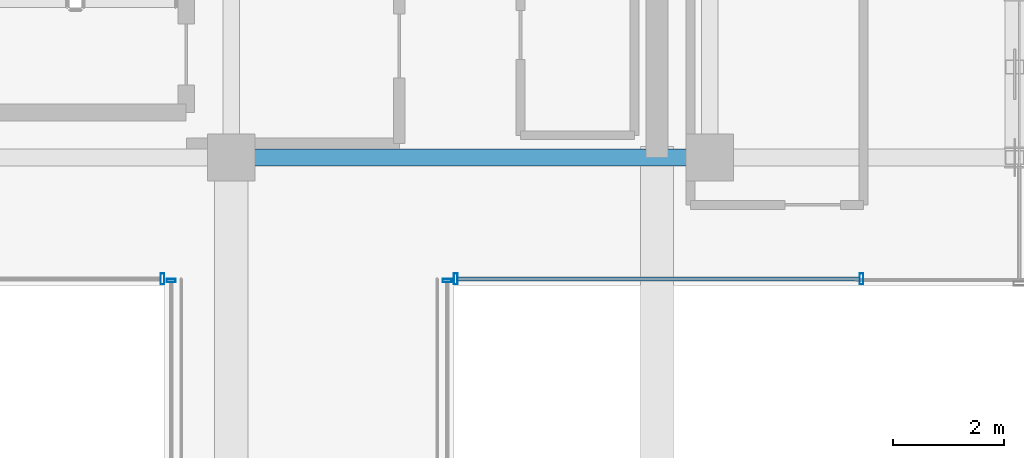
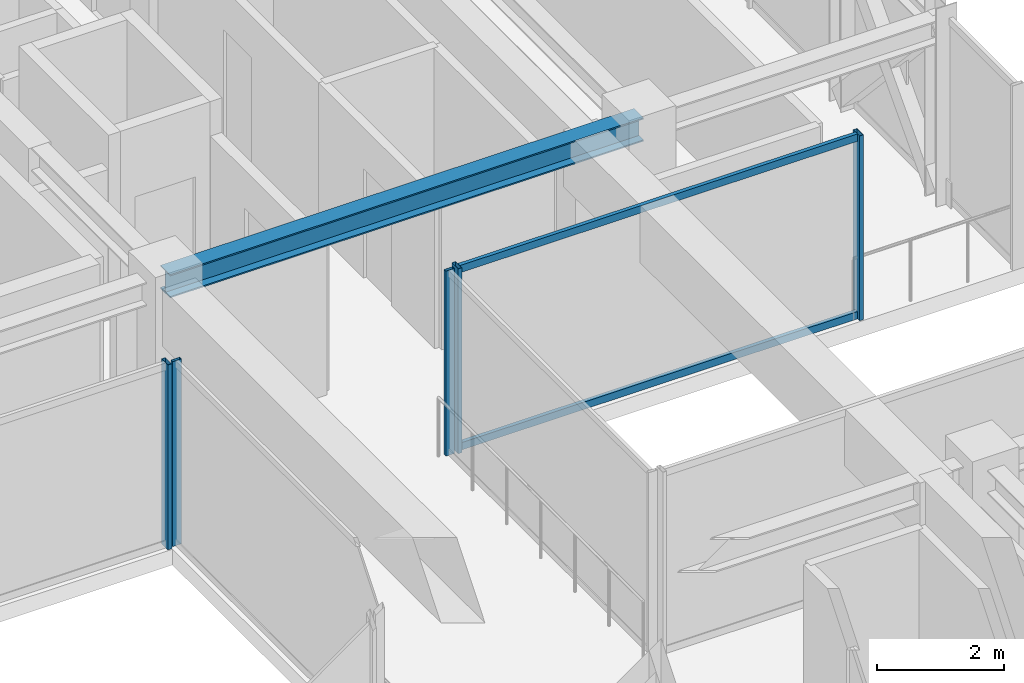
# One storey, part 21 of 41: 7 members, 1 beam, 4 elements without a shape of their own.
"""IFC4 building model written with IfcOpenShell, lengths in metres."""

from ifc_helpers import new_model, si_unit, direction, frame, origin, origin_2d, place, context, subcontext, project, spatial, hollow_rectangle, i_section, extrude, source, transform, mapped, material, material_profile, profile_set, type_object, element, aggregate, save


model = new_model("IFC4")

# Units and contexts
model_context = context("Model", 3, precision=1e-05, world=origin(), true_north=direction((0.0, 1.0)))
body_context = subcontext(model_context, "Body", "Model", "MODEL_VIEW")
ifc_project = project(units=[si_unit("LENGTHUNIT", "METRE"), si_unit("AREAUNIT", "SQUARE_METRE"), si_unit("VOLUMEUNIT", "CUBIC_METRE"), si_unit("PLANEANGLEUNIT", "RADIAN"), si_unit("MASSUNIT", "GRAM", prefix="KILO")], contexts=[model_context])

# Site, building, storey
site_placement = place(None, origin())
site = spatial("IfcSite", under=ifc_project, at=site_placement, CompositionType="ELEMENT")
building_placement = place(site_placement, origin())
building = spatial("IfcBuilding", under=site, at=building_placement, Name="Nahalor Promenade Grand Hotel", CompositionType="ELEMENT")
storey_placement = place(building_placement, frame((0.0, 0.0, 304.199951171875)))
storey = spatial("IfcBuildingStorey", under=building, at=storey_placement, Name="L78", CompositionType="ELEMENT", Elevation=304.199951171875)

# Beam
ifc_material_1 = material(Name="Steel S355JR", Category="steel")
ifc_material_profile_1 = material_profile(ifc_material_1, i_section(OverallWidth=0.3, OverallDepth=0.45, WebThickness=0.014, FlangeThickness=0.026, at=origin_2d()), Name="HEB 450")
ifc_profile_set_1 = profile_set([ifc_material_profile_1], Name="Steel S355JR")
beam_type = type_object("IfcBeamType", Name="Beam-Girder-HEB450", PredefinedType="BEAM", material=ifc_profile_set_1)
shared_shape_1 = source(origin(), body_context, "Body", "SweptSolid", [
    extrude(i_section(OverallWidth=0.3, OverallDepth=0.45, WebThickness=0.014, FlangeThickness=0.026, at=origin_2d()), origin(), (0.0, 0.0, 1.0), 8.60009765625),
])
beam_placement = place(storey_placement, frame((8.39990234375, 5.39990234375, 3.324951171875), z_axis=(1.0, 0.0, 0.0), x_axis=(0.0, 1.0, 0.0)))
element("IfcBeam", 1, at=beam_placement, inside=storey, type_object=beam_type, Name="BM-L78-GX-2-5", PredefinedType="BEAM", context=body_context, shape_type="MappedRepresentation", body=[
    mapped(shared_shape_1, transform((0.0, 0.0, 0.0), scale=1.0)),
])

# Curtain wall, members
ifc_material_2 = material(Name="Anodised Bronze Aluminium EN AW-6063 T6", Category="aluminium")
curtain_wall_type_1 = type_object("IfcCurtainWallType", Name="CW3 Elliptical-Void Collar Unitised Curtain Wall", PredefinedType="USERDEFINED", material=ifc_material_2)
curtain_wall_1_placement = place(storey_placement, origin())
curtain_wall_1 = element("IfcCurtainWall", 2, at=curtain_wall_1_placement, inside=storey, type_object=curtain_wall_type_1, Name="L78 Curtain Wall CW-L78-VOID-EN1", ObjectType="UNITISED_CURTAIN_WALL", PredefinedType="USERDEFINED")
ifc_material_profile_2 = material_profile(ifc_material_2, hollow_rectangle(XDim=0.07, YDim=0.14, WallThickness=0.004, at=origin_2d()), Name="CWT 70x140x4")
ifc_profile_set_2 = profile_set([ifc_material_profile_2], Name="Anodised Bronze Aluminium EN AW-6063 T6")
member_type_1 = type_object("IfcMemberType", Name="CWT3 Void Collar Transom 70x140", PredefinedType="USERDEFINED", material=ifc_profile_set_2)
shared_shape_2 = source(origin(), body_context, "Body", "SweptSolid", [
    extrude(hollow_rectangle(XDim=0.07, YDim=0.14, WallThickness=0.004, at=origin_2d()), origin(), (0.0, 0.0, 1.0), 7.219970703125),
])
member_1_placement = place(storey_placement, frame((12.469970703125, 3.219970703125, 0.070068359375), z_axis=(1.0, 0.0, 0.0), x_axis=(0.0, 1.0, 0.0)))
member_1 = element("IfcMember", 3, at=member_1_placement, type_object=member_type_1, Name="CW-L78-VOID-EN1 Transom 0-0", ObjectType="TRANSOM", PredefinedType="USERDEFINED", context=body_context, shape_type="MappedRepresentation", body=[
    mapped(shared_shape_2, transform((0.0, 0.0, 0.0), scale=1.0)),
])
member_2_placement = place(storey_placement, frame((12.469970703125, 3.219970703125, 3.47998046875), z_axis=(1.0, 0.0, 0.0), x_axis=(0.0, 1.0, 0.0)))
member_2 = element("IfcMember", 4, at=member_2_placement, type_object=member_type_1, Name="CW-L78-VOID-EN1 Transom 0-1", ObjectType="TRANSOM", PredefinedType="USERDEFINED", context=body_context, shape_type="MappedRepresentation", body=[
    mapped(shared_shape_2, transform((0.0, 0.0, 0.0), scale=1.0)),
])

# Curtain wall, member
curtain_wall_2_placement = place(storey_placement, origin())
curtain_wall_2 = element("IfcCurtainWall", 5, at=curtain_wall_2_placement, inside=storey, type_object=curtain_wall_type_1, Name="L78 Curtain Wall CW-L78-VOID-WN1", ObjectType="UNITISED_CURTAIN_WALL", PredefinedType="USERDEFINED")
ifc_material_profile_3 = material_profile(ifc_material_2, hollow_rectangle(XDim=0.07, YDim=0.2, WallThickness=0.005, at=origin_2d()), Name="CWM 70x200x5")
ifc_profile_set_3 = profile_set([ifc_material_profile_3], Name="Anodised Bronze Aluminium EN AW-6063 T6")
member_type_2 = type_object("IfcMemberType", Name="CWM3 Void Collar Mullion 70x200", PredefinedType="MULLION", material=ifc_profile_set_3)
shared_shape_3 = source(origin(), body_context, "Body", "SweptSolid", [
    extrude(hollow_rectangle(XDim=0.07, YDim=0.2, WallThickness=0.005, at=origin_2d()), origin(), (0.0, 0.0, 1.0), 3.550048828125),
])
member_3_placement = place(storey_placement, frame((7.1650390625, 3.219970703125, 0.0), z_axis=(0.0, 0.0, 1.0), x_axis=(1.0, 0.0, 0.0)))
member_3 = element("IfcMember", 6, at=member_3_placement, type_object=member_type_2, Name="CW-L78-VOID-WN1 Mullion 3", PredefinedType="MULLION", context=body_context, shape_type="MappedRepresentation", body=[
    mapped(shared_shape_3, transform((0.0, 0.0, 0.0), scale=1.0)),
])
aggregate(curtain_wall_2, [member_3])

# Member
member_4_placement = place(storey_placement, frame((12.43505859375, 3.219970703125, 0.0), z_axis=(0.0, 0.0, 1.0), x_axis=(1.0, 0.0, 0.0)))
member_4 = element("IfcMember", 7, at=member_4_placement, type_object=member_type_2, Name="CW-L78-VOID-EN1 Mullion 0", PredefinedType="MULLION", context=body_context, shape_type="MappedRepresentation", body=[
    mapped(shared_shape_3, transform((0.0, 0.0, 0.0), scale=1.0)),
])

member_5_placement = place(storey_placement, frame((19.72509765625, 3.219970703125, 0.0), z_axis=(0.0, 0.0, 1.0), x_axis=(1.0, 0.0, 0.0)))
member_5 = element("IfcMember", 8, at=member_5_placement, type_object=member_type_2, Name="CW-L78-VOID-EN1 Mullion 1", PredefinedType="MULLION", context=body_context, shape_type="MappedRepresentation", body=[
    mapped(shared_shape_3, transform((0.0, 0.0, 0.0), scale=1.0)),
])

aggregate(curtain_wall_1, [member_4, member_5, member_1, member_2])

# Curtain wall, member
curtain_wall_type_2 = type_object("IfcCurtainWallType", Name="CW4 Low-Iron Sky-Gallery Bridge Curtain Wall", PredefinedType="USERDEFINED", material=ifc_material_2)
curtain_wall_3_placement = place(storey_placement, origin())
curtain_wall_3 = element("IfcCurtainWall", 9, at=curtain_wall_3_placement, inside=storey, type_object=curtain_wall_type_2, Name="L78 Curtain Wall CW-L78-BRG-W", ObjectType="UNITISED_CURTAIN_WALL", PredefinedType="USERDEFINED")
ifc_material_profile_4 = material_profile(ifc_material_2, hollow_rectangle(XDim=0.06, YDim=0.16, WallThickness=0.004, at=origin_2d()), Name="CWM 60x160x4")
ifc_profile_set_4 = profile_set([ifc_material_profile_4], Name="Anodised Bronze Aluminium EN AW-6063 T6")
member_type_3 = type_object("IfcMemberType", Name="CWM4 Sky-Gallery Slim Mullion 60x160", PredefinedType="MULLION", material=ifc_profile_set_4)
shared_shape_4 = source(origin(), body_context, "Body", "SweptSolid", [
    extrude(hollow_rectangle(XDim=0.06, YDim=0.16, WallThickness=0.004, at=origin_2d()), origin(), (0.0, 0.0, 1.0), 3.550048828125),
])
member_6_placement = place(storey_placement, frame((7.320068359375, 3.18994140625, 0.0), z_axis=(0.0, 0.0, 1.0), x_axis=(0.0, 1.0, 0.0)))
member_6 = element("IfcMember", 10, at=member_6_placement, type_object=member_type_3, Name="CW-L78-BRG-W Mullion 1", PredefinedType="MULLION", context=body_context, shape_type="MappedRepresentation", body=[
    mapped(shared_shape_4, transform((0.0, 0.0, 0.0), scale=1.0)),
])
aggregate(curtain_wall_3, [member_6])

curtain_wall_4_placement = place(storey_placement, origin())
curtain_wall_4 = element("IfcCurtainWall", 11, at=curtain_wall_4_placement, inside=storey, type_object=curtain_wall_type_2, Name="L78 Curtain Wall CW-L78-BRG-E", ObjectType="UNITISED_CURTAIN_WALL", PredefinedType="USERDEFINED")
member_7_placement = place(storey_placement, frame((12.280029296875, 3.18994140625, 0.0), z_axis=(0.0, 0.0, 1.0), x_axis=(0.0, 1.0, 0.0)))
member_7 = element("IfcMember", 12, at=member_7_placement, type_object=member_type_3, Name="CW-L78-BRG-E Mullion 1", PredefinedType="MULLION", context=body_context, shape_type="MappedRepresentation", body=[
    mapped(shared_shape_4, transform((0.0, 0.0, 0.0), scale=1.0)),
])
aggregate(curtain_wall_4, [member_7])

save(model, "model.ifc")
